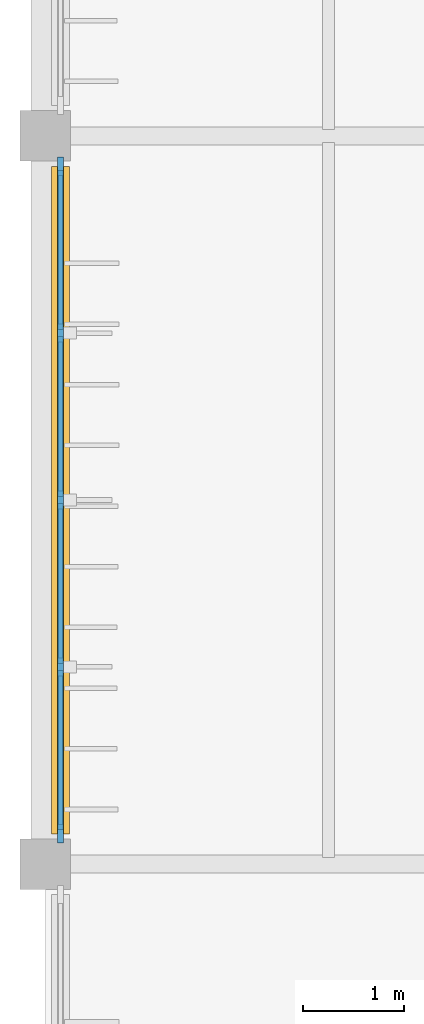
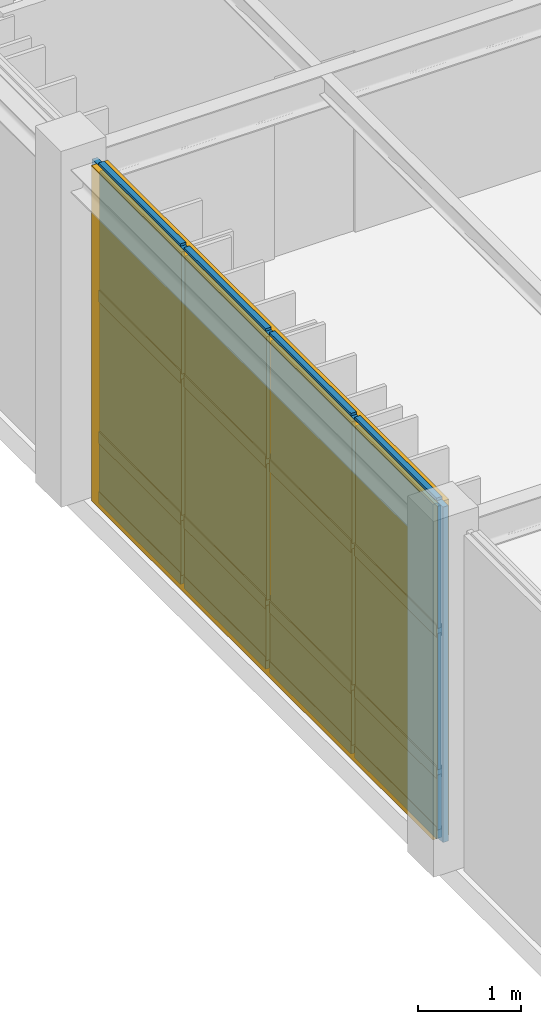
# One storey, part 66 of 104: 21 members, 12 plates, 1 curtain wall.
"""IFC4 building model written with IfcOpenShell, lengths in metres."""

from ifc_helpers import new_model, si_unit, direction, frame, frame_2d, origin, origin_2d, place, context, subcontext, project, spatial, rectangle, extrude, material, layer, layer_set, material_profile, profile_set, type_object, element, aggregate, save


model = new_model("IFC4")

# Units and contexts
model_context = context("Model", 3, precision=1e-05, world=origin(), true_north=direction((0.0, 1.0)))
body_context = subcontext(model_context, "Body", "Model", "MODEL_VIEW")
ifc_project = project(units=[si_unit("LENGTHUNIT", "METRE"), si_unit("AREAUNIT", "SQUARE_METRE"), si_unit("VOLUMEUNIT", "CUBIC_METRE"), si_unit("PLANEANGLEUNIT", "RADIAN"), si_unit("MASSUNIT", "GRAM", prefix="KILO")], contexts=[model_context])

# Member
ifc_material_1 = material(Name="Anodised Bronze Aluminium 6063-T6", Category="aluminium")
ifc_material_profile_1 = material_profile(ifc_material_1, rectangle(XDim=0.06005859375, YDim=0.179931640625, at=origin_2d()), Name="ALU MULLION 60x180")
ifc_profile_set_1 = profile_set([ifc_material_profile_1], Name="Anodised Bronze Aluminium 6063-T6")
member_type_1 = type_object("IfcMemberType", Name="Curtain-Wall Primary Mullion 60x180", PredefinedType="MULLION", material=ifc_profile_set_1)
site_placement = place(None, origin())
building_placement = place(site_placement, origin())
storey_placement = place(building_placement, frame((0.0, 0.0, 9.0)))
member_1_placement = place(storey_placement, frame((2.550048828125, 52.10009765625, 0.0), z_axis=(0.0, 0.0, 1.0), x_axis=(1.0, 0.0, 0.0)))
member_1 = element("IfcMember", 1, at=member_1_placement, type_object=member_type_1, Name="Mullion CWM-01 CW-V6-W1-L02-B2-M01", PredefinedType="MULLION", context=body_context, shape_type="SweptSolid", body=[
    extrude(rectangle(XDim=0.06005859375, YDim=0.179931640625, at=origin_2d()), origin(), (0.0, 0.0, 1.0), 3.9599609375),
])

member_2_placement = place(storey_placement, frame((2.550048828125, 53.75, 0.0), z_axis=(0.0, 0.0, 1.0), x_axis=(1.0, 0.0, 0.0)))
member_2 = element("IfcMember", 2, at=member_2_placement, type_object=member_type_1, Name="Mullion CWM-01 CW-V6-W1-L02-B2-M02", PredefinedType="MULLION", context=body_context, shape_type="SweptSolid", body=[
    extrude(rectangle(XDim=0.06005859375, YDim=0.179931640625, at=origin_2d()), origin(), (0.0, 0.0, 1.0), 3.9599609375),
])

member_3_placement = place(storey_placement, frame((2.550048828125, 55.39990234375, 0.0), z_axis=(0.0, 0.0, 1.0), x_axis=(1.0, 0.0, 0.0)))
member_3 = element("IfcMember", 3, at=member_3_placement, type_object=member_type_1, Name="Mullion CWM-01 CW-V6-W1-L02-B2-M03", PredefinedType="MULLION", context=body_context, shape_type="SweptSolid", body=[
    extrude(rectangle(XDim=0.06005859375, YDim=0.179931640625, at=origin_2d()), origin(), (0.0, 0.0, 1.0), 3.9599609375),
])

member_4_placement = place(storey_placement, frame((2.550048828125, 57.050048828125, 0.0), z_axis=(0.0, 0.0, 1.0), x_axis=(1.0, 0.0, 0.0)))
member_4 = element("IfcMember", 4, at=member_4_placement, type_object=member_type_1, Name="Mullion CWM-01 CW-V6-W1-L02-B2-M04", PredefinedType="MULLION", context=body_context, shape_type="SweptSolid", body=[
    extrude(rectangle(XDim=0.06005859375, YDim=0.179931640625, at=origin_2d()), origin(), (0.0, 0.0, 1.0), 3.9599609375),
])

member_5_placement = place(storey_placement, frame((2.550048828125, 58.699951171875, 0.0), z_axis=(0.0, 0.0, 1.0), x_axis=(1.0, 0.0, 0.0)))
member_5 = element("IfcMember", 5, at=member_5_placement, type_object=member_type_1, Name="Mullion CWM-01 CW-V6-W1-L02-B2-M05", PredefinedType="MULLION", context=body_context, shape_type="SweptSolid", body=[
    extrude(rectangle(XDim=0.06005859375, YDim=0.179931640625, at=origin_2d()), origin(), (0.0, 0.0, 1.0), 3.9599609375),
])

ifc_material_profile_2 = material_profile(ifc_material_1, rectangle(XDim=0.06005859375, YDim=0.139892578125, at=origin_2d()), Name="ALU TRANSOM 60x140")
ifc_profile_set_2 = profile_set([ifc_material_profile_2], Name="Anodised Bronze Aluminium 6063-T6")
member_type_2 = type_object("IfcMemberType", Name="Curtain-Wall Transom 60x140", PredefinedType="USERDEFINED", material=ifc_profile_set_2)
member_6_placement = place(storey_placement, frame((2.550048828125, 52.135009765625, 0.0400390625), z_axis=(0.0, 1.0, 0.0), x_axis=(-1.0, 0.0, 0.0)))
member_6 = element("IfcMember", 6, at=member_6_placement, type_object=member_type_2, Name="Transom CWT-01 CW-V6-W1-L02-B2-T01.1", ObjectType="TRANSOM", PredefinedType="USERDEFINED", context=body_context, shape_type="SweptSolid", body=[
    extrude(rectangle(XDim=0.06005859375, YDim=0.139892578125, at=origin_2d()), origin(), (0.0, 0.0, 1.0), 1.580078125),
])

member_7_placement = place(storey_placement, frame((2.550048828125, 52.135009765625, 0.75), z_axis=(0.0, 1.0, 0.0), x_axis=(-1.0, 0.0, 0.0)))
member_7 = element("IfcMember", 7, at=member_7_placement, type_object=member_type_2, Name="Transom CWT-01 CW-V6-W1-L02-B2-T01.2", ObjectType="TRANSOM", PredefinedType="USERDEFINED", context=body_context, shape_type="SweptSolid", body=[
    extrude(rectangle(XDim=0.06005859375, YDim=0.139892578125, at=origin_2d()), origin(), (0.0, 0.0, 1.0), 1.580078125),
])

member_8_placement = place(storey_placement, frame((2.550048828125, 52.135009765625, 2.419189453125), z_axis=(0.0, 1.0, 0.0), x_axis=(-1.0, 0.0, 0.0)))
member_8 = element("IfcMember", 8, at=member_8_placement, type_object=member_type_2, Name="Transom CWT-01 CW-V6-W1-L02-B2-T01.3", ObjectType="TRANSOM", PredefinedType="USERDEFINED", context=body_context, shape_type="SweptSolid", body=[
    extrude(rectangle(XDim=0.06005859375, YDim=0.139892578125, at=origin_2d()), origin(), (0.0, 0.0, 1.0), 1.580078125),
])

member_9_placement = place(storey_placement, frame((2.550048828125, 52.135009765625, 3.919921875), z_axis=(0.0, 1.0, 0.0), x_axis=(-1.0, 0.0, 0.0)))
member_9 = element("IfcMember", 9, at=member_9_placement, type_object=member_type_2, Name="Transom CWT-01 CW-V6-W1-L02-B2-T01.4", ObjectType="TRANSOM", PredefinedType="USERDEFINED", context=body_context, shape_type="SweptSolid", body=[
    extrude(rectangle(XDim=0.06005859375, YDim=0.139892578125, at=origin_2d()), origin(), (0.0, 0.0, 1.0), 1.580078125),
])

member_10_placement = place(storey_placement, frame((2.550048828125, 53.784912109375, 0.0400390625), z_axis=(0.0, 1.0, 0.0), x_axis=(-1.0, 0.0, 0.0)))
member_10 = element("IfcMember", 10, at=member_10_placement, type_object=member_type_2, Name="Transom CWT-01 CW-V6-W1-L02-B2-T02.1", ObjectType="TRANSOM", PredefinedType="USERDEFINED", context=body_context, shape_type="SweptSolid", body=[
    extrude(rectangle(XDim=0.06005859375, YDim=0.139892578125, at=origin_2d()), origin(), (0.0, 0.0, 1.0), 1.580078125),
])

member_11_placement = place(storey_placement, frame((2.550048828125, 53.784912109375, 0.75), z_axis=(0.0, 1.0, 0.0), x_axis=(-1.0, 0.0, 0.0)))
member_11 = element("IfcMember", 11, at=member_11_placement, type_object=member_type_2, Name="Transom CWT-01 CW-V6-W1-L02-B2-T02.2", ObjectType="TRANSOM", PredefinedType="USERDEFINED", context=body_context, shape_type="SweptSolid", body=[
    extrude(rectangle(XDim=0.06005859375, YDim=0.139892578125, at=origin_2d()), origin(), (0.0, 0.0, 1.0), 1.580078125),
])

member_12_placement = place(storey_placement, frame((2.550048828125, 53.784912109375, 2.419189453125), z_axis=(0.0, 1.0, 0.0), x_axis=(-1.0, 0.0, 0.0)))
member_12 = element("IfcMember", 12, at=member_12_placement, type_object=member_type_2, Name="Transom CWT-01 CW-V6-W1-L02-B2-T02.3", ObjectType="TRANSOM", PredefinedType="USERDEFINED", context=body_context, shape_type="SweptSolid", body=[
    extrude(rectangle(XDim=0.06005859375, YDim=0.139892578125, at=origin_2d()), origin(), (0.0, 0.0, 1.0), 1.580078125),
])

member_13_placement = place(storey_placement, frame((2.550048828125, 53.784912109375, 3.919921875), z_axis=(0.0, 1.0, 0.0), x_axis=(-1.0, 0.0, 0.0)))
member_13 = element("IfcMember", 13, at=member_13_placement, type_object=member_type_2, Name="Transom CWT-01 CW-V6-W1-L02-B2-T02.4", ObjectType="TRANSOM", PredefinedType="USERDEFINED", context=body_context, shape_type="SweptSolid", body=[
    extrude(rectangle(XDim=0.06005859375, YDim=0.139892578125, at=origin_2d()), origin(), (0.0, 0.0, 1.0), 1.580078125),
])

member_14_placement = place(storey_placement, frame((2.550048828125, 55.43505859375, 0.0400390625), z_axis=(0.0, 1.0, 0.0), x_axis=(-1.0, 0.0, 0.0)))
member_14 = element("IfcMember", 14, at=member_14_placement, type_object=member_type_2, Name="Transom CWT-01 CW-V6-W1-L02-B2-T03.1", ObjectType="TRANSOM", PredefinedType="USERDEFINED", context=body_context, shape_type="SweptSolid", body=[
    extrude(rectangle(XDim=0.06005859375, YDim=0.139892578125, at=origin_2d()), origin(), (0.0, 0.0, 1.0), 1.579833984375),
])

member_15_placement = place(storey_placement, frame((2.550048828125, 55.43505859375, 0.75), z_axis=(0.0, 1.0, 0.0), x_axis=(-1.0, 0.0, 0.0)))
member_15 = element("IfcMember", 15, at=member_15_placement, type_object=member_type_2, Name="Transom CWT-01 CW-V6-W1-L02-B2-T03.2", ObjectType="TRANSOM", PredefinedType="USERDEFINED", context=body_context, shape_type="SweptSolid", body=[
    extrude(rectangle(XDim=0.06005859375, YDim=0.139892578125, at=origin_2d()), origin(), (0.0, 0.0, 1.0), 1.579833984375),
])

member_16_placement = place(storey_placement, frame((2.550048828125, 55.43505859375, 2.419189453125), z_axis=(0.0, 1.0, 0.0), x_axis=(-1.0, 0.0, 0.0)))
member_16 = element("IfcMember", 16, at=member_16_placement, type_object=member_type_2, Name="Transom CWT-01 CW-V6-W1-L02-B2-T03.3", ObjectType="TRANSOM", PredefinedType="USERDEFINED", context=body_context, shape_type="SweptSolid", body=[
    extrude(rectangle(XDim=0.06005859375, YDim=0.139892578125, at=origin_2d()), origin(), (0.0, 0.0, 1.0), 1.579833984375),
])

member_17_placement = place(storey_placement, frame((2.550048828125, 55.43505859375, 3.919921875), z_axis=(0.0, 1.0, 0.0), x_axis=(-1.0, 0.0, 0.0)))
member_17 = element("IfcMember", 17, at=member_17_placement, type_object=member_type_2, Name="Transom CWT-01 CW-V6-W1-L02-B2-T03.4", ObjectType="TRANSOM", PredefinedType="USERDEFINED", context=body_context, shape_type="SweptSolid", body=[
    extrude(rectangle(XDim=0.06005859375, YDim=0.139892578125, at=origin_2d()), origin(), (0.0, 0.0, 1.0), 1.579833984375),
])

member_18_placement = place(storey_placement, frame((2.550048828125, 57.0849609375, 0.0400390625), z_axis=(0.0, 1.0, 0.0), x_axis=(-1.0, 0.0, 0.0)))
member_18 = element("IfcMember", 18, at=member_18_placement, type_object=member_type_2, Name="Transom CWT-01 CW-V6-W1-L02-B2-T04.1", ObjectType="TRANSOM", PredefinedType="USERDEFINED", context=body_context, shape_type="SweptSolid", body=[
    extrude(rectangle(XDim=0.06005859375, YDim=0.139892578125, at=origin_2d()), origin(), (0.0, 0.0, 1.0), 1.580078125),
])

member_19_placement = place(storey_placement, frame((2.550048828125, 57.0849609375, 0.75), z_axis=(0.0, 1.0, 0.0), x_axis=(-1.0, 0.0, 0.0)))
member_19 = element("IfcMember", 19, at=member_19_placement, type_object=member_type_2, Name="Transom CWT-01 CW-V6-W1-L02-B2-T04.2", ObjectType="TRANSOM", PredefinedType="USERDEFINED", context=body_context, shape_type="SweptSolid", body=[
    extrude(rectangle(XDim=0.06005859375, YDim=0.139892578125, at=origin_2d()), origin(), (0.0, 0.0, 1.0), 1.580078125),
])

member_20_placement = place(storey_placement, frame((2.550048828125, 57.0849609375, 2.419189453125), z_axis=(0.0, 1.0, 0.0), x_axis=(-1.0, 0.0, 0.0)))
member_20 = element("IfcMember", 20, at=member_20_placement, type_object=member_type_2, Name="Transom CWT-01 CW-V6-W1-L02-B2-T04.3", ObjectType="TRANSOM", PredefinedType="USERDEFINED", context=body_context, shape_type="SweptSolid", body=[
    extrude(rectangle(XDim=0.06005859375, YDim=0.139892578125, at=origin_2d()), origin(), (0.0, 0.0, 1.0), 1.580078125),
])

member_21_placement = place(storey_placement, frame((2.550048828125, 57.0849609375, 3.919921875), z_axis=(0.0, 1.0, 0.0), x_axis=(-1.0, 0.0, 0.0)))
member_21 = element("IfcMember", 21, at=member_21_placement, type_object=member_type_2, Name="Transom CWT-01 CW-V6-W1-L02-B2-T04.4", ObjectType="TRANSOM", PredefinedType="USERDEFINED", context=body_context, shape_type="SweptSolid", body=[
    extrude(rectangle(XDim=0.06005859375, YDim=0.139892578125, at=origin_2d()), origin(), (0.0, 0.0, 1.0), 1.580078125),
])

# Plate
ifc_material_2 = material(Name="Insulated Bronze Aluminium Spandrel Panel", Category="aluminium")
ifc_layer_1 = layer(ifc_material_2, 0.050048828125, Name="Insulated Bronze Aluminium Spandrel Panel")
ifc_layer_set_1 = layer_set([ifc_layer_1], Name="Insulated Bronze Aluminium Spandrel Panel")
plate_type_1 = type_object("IfcPlateType", Name="Insulated Anodised Aluminium Spandrel Cassette 50", PredefinedType="CURTAIN_PANEL", material=ifc_layer_set_1)
plate_1_placement = place(storey_placement, frame((2.550048828125, 52.925048828125, 0.070068359375), z_axis=(0.0, 0.0, 1.0), x_axis=(0.0, 1.0, 0.0)))
plate_1 = element("IfcPlate", 22, at=plate_1_placement, type_object=plate_type_1, Name="Curtain Panel CWP-03 CW-V6-W1-L02-B2-P01.1", PredefinedType="CURTAIN_PANEL", context=body_context, shape_type="SweptSolid", body=[
    extrude(rectangle(XDim=1.580078125, YDim=0.050048828125, at=origin_2d()), origin(), (0.0, 0.0, 1.0), 0.64990234375),
])

plate_2_placement = place(storey_placement, frame((2.550048828125, 54.574951171875, 0.070068359375), z_axis=(0.0, 0.0, 1.0), x_axis=(0.0, 1.0, 0.0)))
plate_2 = element("IfcPlate", 23, at=plate_2_placement, type_object=plate_type_1, Name="Curtain Panel CWP-03 CW-V6-W1-L02-B2-P02.1", PredefinedType="CURTAIN_PANEL", context=body_context, shape_type="SweptSolid", body=[
    extrude(rectangle(XDim=1.580078125, YDim=0.050048828125, at=origin_2d()), origin(), (0.0, 0.0, 1.0), 0.64990234375),
])

plate_3_placement = place(storey_placement, frame((2.550048828125, 56.22509765625, 0.070068359375), z_axis=(0.0, 0.0, 1.0), x_axis=(0.0, 1.0, 0.0)))
plate_3 = element("IfcPlate", 24, at=plate_3_placement, type_object=plate_type_1, Name="Curtain Panel CWP-03 CW-V6-W1-L02-B2-P03.1", PredefinedType="CURTAIN_PANEL", context=body_context, shape_type="SweptSolid", body=[
    extrude(rectangle(XDim=1.580078125, YDim=0.050048828125, at=origin_2d()), origin(), (0.0, 0.0, 1.0), 0.64990234375),
])

plate_4_placement = place(storey_placement, frame((2.550048828125, 57.875, 0.070068359375), z_axis=(0.0, 0.0, 1.0), x_axis=(0.0, 1.0, 0.0)))
plate_4 = element("IfcPlate", 25, at=plate_4_placement, type_object=plate_type_1, Name="Curtain Panel CWP-03 CW-V6-W1-L02-B2-P04.1", PredefinedType="CURTAIN_PANEL", context=body_context, shape_type="SweptSolid", body=[
    extrude(rectangle(XDim=1.580078125, YDim=0.050048828125, at=origin_2d()), origin(), (0.0, 0.0, 1.0), 0.64990234375),
])

ifc_material_3 = material(Name="Solar-Control Tempered Double Glazing", Category="glass")
ifc_layer_2 = layer(ifc_material_3, 0.0380859375, Name="Solar-Control Tempered Double Glazing")
ifc_layer_set_2 = layer_set([ifc_layer_2], Name="Solar-Control Tempered Double Glazing")
plate_type_2 = type_object("IfcPlateType", Name="Solar-Control Vision Glazing Unit 38", PredefinedType="CURTAIN_PANEL", material=ifc_layer_set_2)
plate_5_placement = place(storey_placement, frame((2.550048828125, 52.925048828125, 0.7802734375), z_axis=(0.0, 0.0, 1.0), x_axis=(0.0, 1.0, 0.0)))
plate_5 = element("IfcPlate", 26, at=plate_5_placement, type_object=plate_type_2, Name="Curtain Panel CWP-02 CW-V6-W1-L02-B2-P01.2", PredefinedType="CURTAIN_PANEL", context=body_context, shape_type="SweptSolid", body=[
    extrude(rectangle(XDim=1.580078125, YDim=0.0380859375, at=origin_2d()), origin(), (0.0, 0.0, 1.0), 1.609130859375),
])

plate_6_placement = place(storey_placement, frame((2.550048828125, 52.925048828125, 2.44921875), z_axis=(0.0, 0.0, 1.0), x_axis=(0.0, 1.0, 0.0)))
plate_6 = element("IfcPlate", 27, at=plate_6_placement, type_object=plate_type_2, Name="Curtain Panel CWP-02 CW-V6-W1-L02-B2-P01.3", PredefinedType="CURTAIN_PANEL", context=body_context, shape_type="SweptSolid", body=[
    extrude(rectangle(XDim=1.580078125, YDim=0.0380859375, at=origin_2d()), origin(), (0.0, 0.0, 1.0), 1.44091796875),
])

plate_7_placement = place(storey_placement, frame((2.550048828125, 54.574951171875, 0.7802734375), z_axis=(0.0, 0.0, 1.0), x_axis=(0.0, 1.0, 0.0)))
plate_7 = element("IfcPlate", 28, at=plate_7_placement, type_object=plate_type_2, Name="Curtain Panel CWP-02 CW-V6-W1-L02-B2-P02.2", PredefinedType="CURTAIN_PANEL", context=body_context, shape_type="SweptSolid", body=[
    extrude(rectangle(XDim=1.580078125, YDim=0.0380859375, at=origin_2d()), origin(), (0.0, 0.0, 1.0), 1.609130859375),
])

plate_8_placement = place(storey_placement, frame((2.550048828125, 54.574951171875, 2.44921875), z_axis=(0.0, 0.0, 1.0), x_axis=(0.0, 1.0, 0.0)))
plate_8 = element("IfcPlate", 29, at=plate_8_placement, type_object=plate_type_2, Name="Curtain Panel CWP-02 CW-V6-W1-L02-B2-P02.3", PredefinedType="CURTAIN_PANEL", context=body_context, shape_type="SweptSolid", body=[
    extrude(rectangle(XDim=1.580078125, YDim=0.0380859375, at=origin_2d()), origin(), (0.0, 0.0, 1.0), 1.44091796875),
])

plate_9_placement = place(storey_placement, frame((2.550048828125, 56.22509765625, 0.7802734375), z_axis=(0.0, 0.0, 1.0), x_axis=(0.0, 1.0, 0.0)))
plate_9 = element("IfcPlate", 30, at=plate_9_placement, type_object=plate_type_2, Name="Curtain Panel CWP-02 CW-V6-W1-L02-B2-P03.2", PredefinedType="CURTAIN_PANEL", context=body_context, shape_type="SweptSolid", body=[
    extrude(rectangle(XDim=1.580078125, YDim=0.0380859375, at=origin_2d()), origin(), (0.0, 0.0, 1.0), 1.609130859375),
])

plate_10_placement = place(storey_placement, frame((2.550048828125, 56.22509765625, 2.44921875), z_axis=(0.0, 0.0, 1.0), x_axis=(0.0, 1.0, 0.0)))
plate_10 = element("IfcPlate", 31, at=plate_10_placement, type_object=plate_type_2, Name="Curtain Panel CWP-02 CW-V6-W1-L02-B2-P03.3", PredefinedType="CURTAIN_PANEL", context=body_context, shape_type="SweptSolid", body=[
    extrude(rectangle(XDim=1.580078125, YDim=0.0380859375, at=origin_2d()), origin(), (0.0, 0.0, 1.0), 1.44091796875),
])

plate_11_placement = place(storey_placement, frame((2.550048828125, 57.875, 0.7802734375), z_axis=(0.0, 0.0, 1.0), x_axis=(0.0, 1.0, 0.0)))
plate_11 = element("IfcPlate", 32, at=plate_11_placement, type_object=plate_type_2, Name="Curtain Panel CWP-02 CW-V6-W1-L02-B2-P04.2", PredefinedType="CURTAIN_PANEL", context=body_context, shape_type="SweptSolid", body=[
    extrude(rectangle(XDim=1.580078125, YDim=0.0380859375, at=origin_2d()), origin(), (0.0, 0.0, 1.0), 1.609130859375),
])

plate_12_placement = place(storey_placement, frame((2.550048828125, 57.875, 2.44921875), z_axis=(0.0, 0.0, 1.0), x_axis=(0.0, 1.0, 0.0)))
plate_12 = element("IfcPlate", 33, at=plate_12_placement, type_object=plate_type_2, Name="Curtain Panel CWP-02 CW-V6-W1-L02-B2-P04.3", PredefinedType="CURTAIN_PANEL", context=body_context, shape_type="SweptSolid", body=[
    extrude(rectangle(XDim=1.580078125, YDim=0.0380859375, at=origin_2d()), origin(), (0.0, 0.0, 1.0), 1.44091796875),
])

# Site, building, storey
site = spatial("IfcSite", under=ifc_project, at=site_placement, CompositionType="ELEMENT")
building = spatial("IfcBuilding", under=site, at=building_placement, Name="Tazoul Stagehouse", CompositionType="ELEMENT")
storey = spatial("IfcBuildingStorey", under=building, at=storey_placement, Name="L02", CompositionType="ELEMENT", Elevation=9.0)

# Curtain wall
curtain_wall_type = type_object("IfcCurtainWallType", Name="Foyer Clear Solar-Control Curtain Wall", PredefinedType="NOTDEFINED", material=ifc_material_1)
curtain_wall_placement = place(storey_placement, frame((2.550048828125, 52.10009765625, 0.0), z_axis=(0.0, 0.0, 1.0), x_axis=(0.0, 1.0, 0.0)))
curtain_wall = element("IfcCurtainWall", 34, at=curtain_wall_placement, inside=storey, type_object=curtain_wall_type, Name="L02 Curtain Wall CW-02 (CW-V6-W1-L02-B2)", PredefinedType="NOTDEFINED", context=body_context, shape_type="SweptSolid", body=[
    extrude(rectangle(XDim=6.599853515625, YDim=0.179931640625, at=frame_2d((3.2998046875, 0.0))), origin(), (0.0, 0.0, 1.0), 3.9599609375),
])

aggregate(curtain_wall, [member_1, member_2, member_3, member_4, member_5, member_6, member_7, member_8, member_9, plate_1, plate_5, plate_6, member_10, member_11, member_12, member_13, plate_2, plate_7, plate_8, member_14, member_15, member_16, member_17, plate_3, plate_9, plate_10, member_18, member_19, member_20, member_21, plate_4, plate_11, plate_12])

save(model, "model.ifc")
